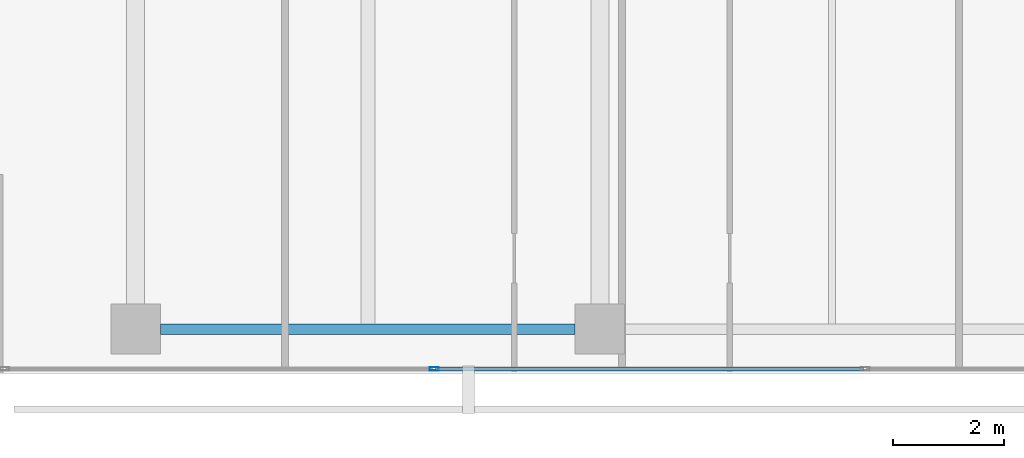
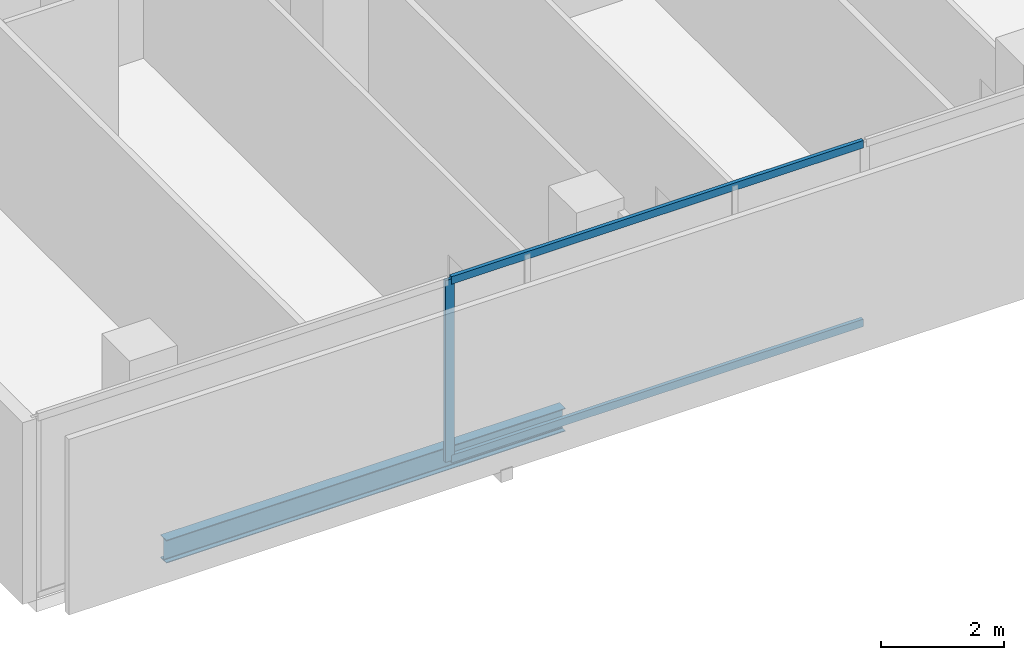
# One storey, part 3 of 40: 3 members, 1 beam, 1 element without a shape of its own.
"""IFC4 building model written with IfcOpenShell, lengths in metres."""

from ifc_helpers import new_model, si_unit, direction, frame, origin, origin_2d, place, context, subcontext, project, spatial, hollow_rectangle, i_section, extrude, material, layer, layer_set, material_profile, profile_set, type_object, element, aggregate, save


model = new_model("IFC4")

# Units and contexts
model_context = context("Model", 3, precision=1e-05, world=origin(), true_north=direction((0.0, 1.0)))
body_context = subcontext(model_context, "Body", "Model", "MODEL_VIEW")
ifc_project = project(units=[si_unit("LENGTHUNIT", "METRE"), si_unit("AREAUNIT", "SQUARE_METRE"), si_unit("VOLUMEUNIT", "CUBIC_METRE"), si_unit("PLANEANGLEUNIT", "RADIAN"), si_unit("MASSUNIT", "GRAM", prefix="KILO")], contexts=[model_context])

# Site, building, storey
site_placement = place(None, origin())
site = spatial("IfcSite", under=ifc_project, at=site_placement, CompositionType="ELEMENT")
building_placement = place(site_placement, origin())
building = spatial("IfcBuilding", under=site, at=building_placement, Name="Maruvema Waterfront Hotel and Observation Tower", CompositionType="ELEMENT")
storey_placement = place(building_placement, frame((0.0, 0.0, 38.5)))
storey = spatial("IfcBuildingStorey", under=building, at=storey_placement, Name="L08", CompositionType="ELEMENT", Elevation=38.5)

# Curtain wall, members
ifc_material_1 = material(Name="Anodised bronze aluminium and solar-control low-E IGU", Category="aluminium")
ifc_layer = layer(ifc_material_1, 0.159912109375, Name="Zone 1 Bronze Inner Thermal Curtain Wall System CW-02")
ifc_layer_set = layer_set([ifc_layer], Name="Anodised bronze aluminium and solar-control low-E IGU")
curtain_wall_type = type_object("IfcCurtainWallType", Name="Zone 1 Bronze Inner Thermal Curtain Wall System CW-02", PredefinedType="USERDEFINED", material=ifc_layer_set)
curtain_wall_placement = place(storey_placement, origin())
curtain_wall = element("IfcCurtainWall", 1, at=curtain_wall_placement, inside=storey, type_object=curtain_wall_type, Name="L08 Curtain Wall CW-L08-S", ObjectType="UNITISED CURTAIN WALL", PredefinedType="USERDEFINED")
ifc_material_2 = material(Name="Anodised architectural bronze aluminium", Category="aluminium")
ifc_material_profile_1 = material_profile(ifc_material_2, hollow_rectangle(XDim=0.070068359375, YDim=0.14990234375, WallThickness=0.00390625, at=origin_2d()), Name="ALU-T70x150")
ifc_profile_set_1 = profile_set([ifc_material_profile_1], Name="Anodised architectural bronze aluminium")
member_type_1 = type_object("IfcMemberType", Name="Curtain Wall Horizontal Transom ALU-T70x150", PredefinedType="USERDEFINED", material=ifc_profile_set_1)
member_1_placement = place(storey_placement, frame((22.22998046875, 0.080078125, 0.030029296875), z_axis=(1.0, 0.0, 0.0), x_axis=(0.0, 1.0, 0.0)))
member_1 = element("IfcMember", 2, at=member_1_placement, type_object=member_type_1, Name="CW-02 transom 2.1", ObjectType="TRANSOM", PredefinedType="USERDEFINED", context=body_context, shape_type="SweptSolid", body=[
    extrude(hollow_rectangle(XDim=0.070068359375, YDim=0.14990234375, WallThickness=0.00390625, at=origin_2d()), origin(), (0.0, 0.0, 1.0), 7.739990234375),
])
member_2_placement = place(storey_placement, frame((22.22998046875, 0.080078125, 3.580078125), z_axis=(1.0, 0.0, 0.0), x_axis=(0.0, 1.0, 0.0)))
member_2 = element("IfcMember", 3, at=member_2_placement, type_object=member_type_1, Name="CW-02 transom 2.2", ObjectType="TRANSOM", PredefinedType="USERDEFINED", context=body_context, shape_type="SweptSolid", body=[
    extrude(hollow_rectangle(XDim=0.070068359375, YDim=0.14990234375, WallThickness=0.00390625, at=origin_2d()), origin(), (0.0, 0.0, 1.0), 7.739990234375),
])
ifc_material_3 = material(Name="Anodised architectural bronze aluminium", Category="aluminium")
ifc_material_profile_2 = material_profile(ifc_material_3, hollow_rectangle(XDim=0.06494140625, YDim=0.1650390625, WallThickness=0.00390625, at=origin_2d()), Name="ALU-M65x165")
ifc_profile_set_2 = profile_set([ifc_material_profile_2], Name="Anodised architectural bronze aluminium")
member_type_2 = type_object("IfcMemberType", Name="Curtain Wall Primary Mullion ALU-M65x165", PredefinedType="MULLION", material=ifc_profile_set_2)
member_3_placement = place(storey_placement, frame((22.199951171875, 0.080078125, 0.0), z_axis=(0.0, 0.0, 1.0), x_axis=(0.0, 1.0, 0.0)))
member_3 = element("IfcMember", 4, at=member_3_placement, type_object=member_type_2, Name="CW-02 mullion 2", PredefinedType="MULLION", context=body_context, shape_type="SweptSolid", body=[
    extrude(hollow_rectangle(XDim=0.06494140625, YDim=0.1650390625, WallThickness=0.00390625, at=origin_2d()), origin(), (0.0, 0.0, 1.0), 3.610107421875),
])
aggregate(curtain_wall, [member_3, member_1, member_2])

# Beam
ifc_material_4 = material(Name="Steel ASTM A572 Grade 50", Category="steel")
ifc_material_profile_3 = material_profile(ifc_material_4, i_section(OverallWidth=0.18994140625, OverallDepth=0.45703125, WebThickness=0.009033203125, FlangeThickness=0.014404296875, FilletRadius=0.014892578125, at=origin_2d()), Name="W460x74.0")
ifc_profile_set_3 = profile_set([ifc_material_profile_3], Name="Steel ASTM A572 Grade 50")
beam_type = type_object("IfcBeamType", Name="Perimeter Spandrel Beam W460x74.0", PredefinedType="SPANDREL", material=ifc_profile_set_3)
beam_placement = place(storey_placement, frame((17.25, 0.800048828125, -0.468505859375), z_axis=(1.0, 0.0, 0.0), x_axis=(0.0, 1.0, 0.0)))
element("IfcBeam", 5, at=beam_placement, inside=storey, type_object=beam_type, Name="L08 Floor Girder EW-01", PredefinedType="SPANDREL", context=body_context, shape_type="SweptSolid", body=[
    extrude(i_section(OverallWidth=0.18994140625, OverallDepth=0.45703125, WebThickness=0.009033203125, FlangeThickness=0.014404296875, FilletRadius=0.014892578125, at=origin_2d()), origin(), (0.0, 0.0, 1.0), 7.5),
])

save(model, "model.ifc")
